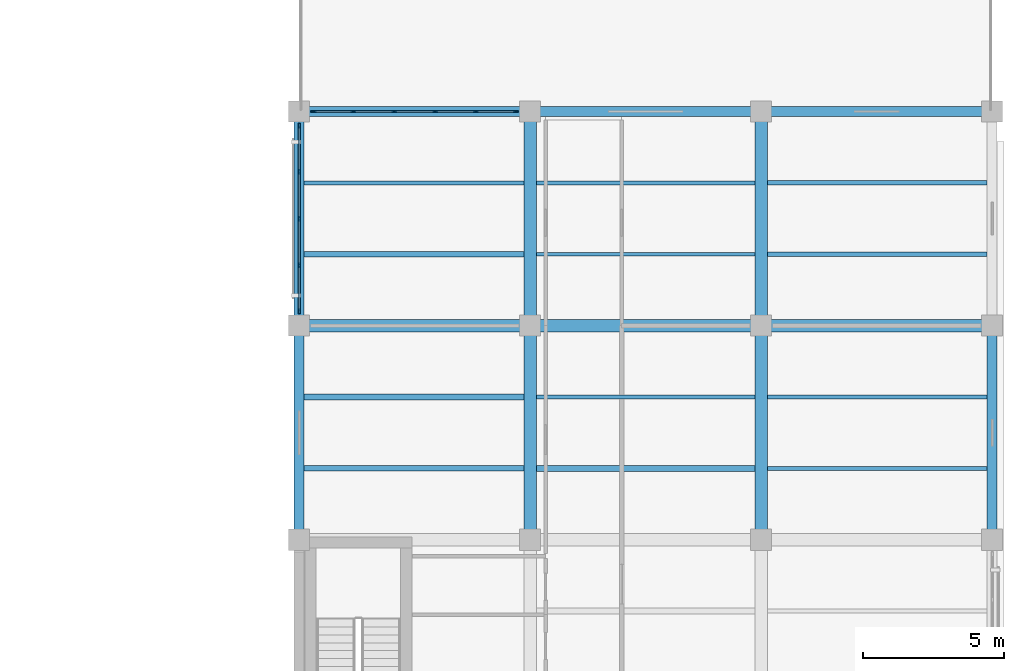
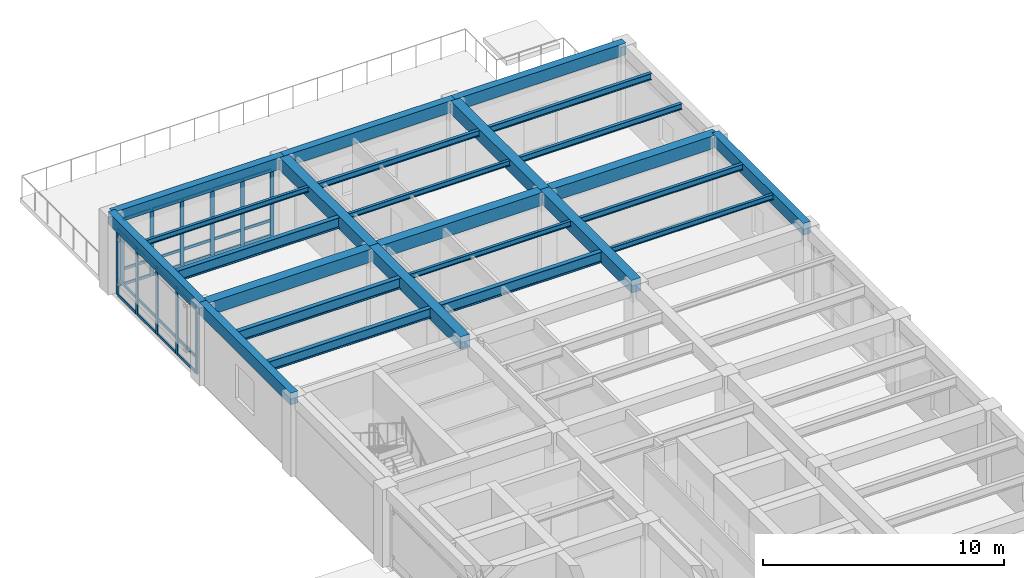
# One storey, part 4 of 12: 38 members, 25 beams, 2 elements without a shape of their own.
"""IFC4 building model written with IfcOpenShell, lengths in metres."""

from ifc_helpers import new_model, si_unit, direction, frame, origin, origin_2d, place, context, subcontext, project, spatial, rectangle, i_section, extrude, material, material_profile, profile_set, type_object, element, aggregate, save


model = new_model("IFC4")

# Units and contexts
model_context = context("Model", 3, precision=1e-05, world=origin(), true_north=direction((0.0, 1.0)))
body_context = subcontext(model_context, "Body", "Model", "MODEL_VIEW")
ifc_project = project(units=[si_unit("LENGTHUNIT", "METRE"), si_unit("AREAUNIT", "SQUARE_METRE"), si_unit("VOLUMEUNIT", "CUBIC_METRE"), si_unit("PLANEANGLEUNIT", "RADIAN"), si_unit("MASSUNIT", "GRAM", prefix="KILO")], contexts=[model_context])

# Site, building, storey
site_placement = place(None, origin())
site = spatial("IfcSite", under=ifc_project, at=site_placement, CompositionType="ELEMENT")
building_placement = place(site_placement, origin())
building = spatial("IfcBuilding", under=site, at=building_placement, Name="Qandaris Square Conservatory and Botanical Centre", CompositionType="ELEMENT")
storey_placement = place(building_placement, frame((0.0, 0.0, 53.39990234375)))
storey = spatial("IfcBuildingStorey", under=building, at=storey_placement, Name="L12", CompositionType="ELEMENT", Elevation=53.39990234375)

# Beams
ifc_material_1 = material(Name="Steel S355", Category="steel")
ifc_material_profile_1 = material_profile(ifc_material_1, i_section(OverallWidth=0.199951171875, OverallDepth=0.5, WebThickness=0.01025390625, FlangeThickness=0.01611328125, FilletRadius=0.02099609375, at=origin_2d()), Name="IPE 500")
ifc_profile_set_1 = profile_set([ifc_material_profile_1], Name="Steel S355")
beam_type_1 = type_object("IfcBeamType", Name="Composite Gallery Joist IPE 500", PredefinedType="JOIST", material=ifc_profile_set_1)
beam_1_placement = place(storey_placement, frame((139.375, 49.533203125, 3.7001953125), z_axis=(1.0, 0.0, 0.0), x_axis=(0.0, 1.0, 0.0)))
element("IfcBeam", 1, at=beam_1_placement, inside=storey, type_object=beam_type_1, Name="L12 Composite Joist 2709", PredefinedType="JOIST", context=body_context, shape_type="SweptSolid", body=[
    extrude(i_section(OverallWidth=0.199951171875, OverallDepth=0.5, WebThickness=0.01025390625, FlangeThickness=0.01611328125, FilletRadius=0.02099609375, at=origin_2d()), origin(), (0.0, 0.0, 1.0), 7.800048828125),
])
ifc_material_profile_2 = material_profile(ifc_material_1, i_section(OverallWidth=0.14990234375, OverallDepth=0.300048828125, WebThickness=0.007080078125, FlangeThickness=0.0107421875, FilletRadius=0.014892578125, at=origin_2d()), Name="IPE 300")
ifc_profile_set_2 = profile_set([ifc_material_profile_2], Name="Steel S355")
beam_type_2 = type_object("IfcBeamType", Name="Composite Lab Joist IPE 300", PredefinedType="JOIST", material=ifc_profile_set_2)
beam_2_placement = place(storey_placement, frame((147.625, 59.666748046875, 3.800048828125), z_axis=(1.0, 0.0, 0.0), x_axis=(0.0, 1.0, 0.0)))
element("IfcBeam", 2, at=beam_2_placement, inside=storey, type_object=beam_type_2, Name="L12 Composite Joist 2721", PredefinedType="JOIST", context=body_context, shape_type="SweptSolid", body=[
    extrude(i_section(OverallWidth=0.14990234375, OverallDepth=0.300048828125, WebThickness=0.007080078125, FlangeThickness=0.0107421875, FilletRadius=0.014892578125, at=origin_2d()), origin(), (0.0, 0.0, 1.0), 7.75),
])
for number, where, z_axis, x_axis, name in (
    (3, (155.824951171875, 52.066650390625, 3.800048828125), (1.0, 0.0, 0.0), (0.0, 1.0, 0.0), "L12 Composite Joist 2731"),
    (4, (155.824951171875, 57.13330078125, 3.800048828125), (1.0, 0.0, 0.0), (0.0, 1.0, 0.0), "L12 Composite Joist 2732"),
):
    element("IfcBeam", number, at=place(storey_placement, frame(where, z_axis=z_axis, x_axis=x_axis)), inside=storey, type_object=beam_type_2, Name=name, PredefinedType="JOIST", context=body_context, shape_type="SweptSolid", body=[
        extrude(i_section(OverallWidth=0.14990234375, OverallDepth=0.300048828125, WebThickness=0.007080078125, FlangeThickness=0.0107421875, FilletRadius=0.014892578125, at=origin_2d()), origin(), (0.0, 0.0, 1.0), 7.800048828125),
    ])
ifc_material_profile_3 = material_profile(ifc_material_1, i_section(OverallWidth=0.159912109375, OverallDepth=0.330078125, WebThickness=0.007568359375, FlangeThickness=0.011474609375, FilletRadius=0.01806640625, at=origin_2d()), Name="IPE 330")
ifc_profile_set_3 = profile_set([ifc_material_profile_3], Name="Steel S355")
beam_type_3 = type_object("IfcBeamType", Name="Composite Lab Joist IPE 330", PredefinedType="JOIST", material=ifc_profile_set_3)
beam_3_placement = place(storey_placement, frame((155.824951171875, 59.666748046875, 3.78515625), z_axis=(1.0, 0.0, 0.0), x_axis=(0.0, 1.0, 0.0)))
element("IfcBeam", 5, at=beam_3_placement, inside=storey, type_object=beam_type_3, Name="L12 Composite Joist 2733", PredefinedType="JOIST", context=body_context, shape_type="SweptSolid", body=[
    extrude(i_section(OverallWidth=0.159912109375, OverallDepth=0.330078125, WebThickness=0.007568359375, FlangeThickness=0.011474609375, FilletRadius=0.01806640625, at=origin_2d()), origin(), (0.0, 0.0, 1.0), 7.800048828125),
])

# Curtain wall, members
ifc_material_2 = material(Name="Anodised Aluminium", Category="aluminium")
curtain_wall_type_1 = type_object("IfcCurtainWallType", Name="Unitised Curtain Wall CW-3-725x336", PredefinedType="USERDEFINED", material=ifc_material_2)
curtain_wall_1_placement = place(storey_placement, origin())
curtain_wall_1 = element("IfcCurtainWall", 6, at=curtain_wall_1_placement, inside=storey, type_object=curtain_wall_type_1, Name="Curtain Wall CW-TWR-L12-3-3", ObjectType="GLAZED CURTAIN WALL", PredefinedType="USERDEFINED")
ifc_material_profile_4 = material_profile(ifc_material_2, rectangle(XDim=0.06494140625, YDim=0.179931640625, at=origin_2d()), Name="ALU-MUL 65x180")
ifc_profile_set_4 = profile_set([ifc_material_profile_4], Name="Anodised Aluminium")
member_type_1 = type_object("IfcMemberType", Name="Curtain Wall Mullion 65x180", PredefinedType="MULLION", material=ifc_profile_set_4)
member_1_placement = place(storey_placement, frame((146.892578125, 62.199951171875, 0.0), z_axis=(0.0, 0.0, 1.0), x_axis=(0.0, -1.0, 0.0)))
member_1 = element("IfcMember", 7, at=member_1_placement, type_object=member_type_1, Name="CW-3-725x336 mullion 1", PredefinedType="MULLION", context=body_context, shape_type="SweptSolid", body=[
    extrude(rectangle(XDim=0.06494140625, YDim=0.179931640625, at=origin_2d()), origin(), (0.0, 0.0, 1.0), 3.360107421875),
])
member_2_placement = place(storey_placement, frame((145.47509765625, 62.199951171875, 0.0), z_axis=(0.0, 0.0, 1.0), x_axis=(0.0, -1.0, 0.0)))
member_2 = element("IfcMember", 8, at=member_2_placement, type_object=member_type_1, Name="CW-3-725x336 mullion 2", PredefinedType="MULLION", context=body_context, shape_type="SweptSolid", body=[
    extrude(rectangle(XDim=0.06494140625, YDim=0.179931640625, at=origin_2d()), origin(), (0.0, 0.0, 1.0), 3.360107421875),
])
member_3_placement = place(storey_placement, frame((144.02490234375, 62.199951171875, 0.0), z_axis=(0.0, 0.0, 1.0), x_axis=(0.0, -1.0, 0.0)))
member_3 = element("IfcMember", 9, at=member_3_placement, type_object=member_type_1, Name="CW-3-725x336 mullion 3", PredefinedType="MULLION", context=body_context, shape_type="SweptSolid", body=[
    extrude(rectangle(XDim=0.06494140625, YDim=0.179931640625, at=origin_2d()), origin(), (0.0, 0.0, 1.0), 3.360107421875),
])
member_4_placement = place(storey_placement, frame((142.574951171875, 62.199951171875, 0.0), z_axis=(0.0, 0.0, 1.0), x_axis=(0.0, -1.0, 0.0)))
member_4 = element("IfcMember", 10, at=member_4_placement, type_object=member_type_1, Name="CW-3-725x336 mullion 4", PredefinedType="MULLION", context=body_context, shape_type="SweptSolid", body=[
    extrude(rectangle(XDim=0.06494140625, YDim=0.179931640625, at=origin_2d()), origin(), (0.0, 0.0, 1.0), 3.360107421875),
])
member_5_placement = place(storey_placement, frame((141.125, 62.199951171875, 0.0), z_axis=(0.0, 0.0, 1.0), x_axis=(0.0, -1.0, 0.0)))
member_5 = element("IfcMember", 11, at=member_5_placement, type_object=member_type_1, Name="CW-3-725x336 mullion 5", PredefinedType="MULLION", context=body_context, shape_type="SweptSolid", body=[
    extrude(rectangle(XDim=0.06494140625, YDim=0.179931640625, at=origin_2d()), origin(), (0.0, 0.0, 1.0), 3.360107421875),
])
member_6_placement = place(storey_placement, frame((139.70751953125, 62.199951171875, 0.0), z_axis=(0.0, 0.0, 1.0), x_axis=(0.0, -1.0, 0.0)))
member_6 = element("IfcMember", 12, at=member_6_placement, type_object=member_type_1, Name="CW-3-725x336 mullion 6", PredefinedType="MULLION", context=body_context, shape_type="SweptSolid", body=[
    extrude(rectangle(XDim=0.06494140625, YDim=0.179931640625, at=origin_2d()), origin(), (0.0, 0.0, 1.0), 3.360107421875),
])

curtain_wall_type_2 = type_object("IfcCurtainWallType", Name="Unitised Curtain Wall CW-4-665x336", PredefinedType="USERDEFINED", material=ifc_material_2)
curtain_wall_2_placement = place(storey_placement, origin())
curtain_wall_2 = element("IfcCurtainWall", 13, at=curtain_wall_2_placement, inside=storey, type_object=curtain_wall_type_2, Name="Curtain Wall CW-TWR-L12-4-1", ObjectType="GLAZED CURTAIN WALL", PredefinedType="USERDEFINED")
member_7_placement = place(storey_placement, frame((139.199951171875, 61.6923828125, 0.0), z_axis=(0.0, 0.0, 1.0), x_axis=(1.0, 0.0, 0.0)))
member_7 = element("IfcMember", 14, at=member_7_placement, type_object=member_type_1, Name="CW-4-665x336 mullion 1", PredefinedType="MULLION", context=body_context, shape_type="SweptSolid", body=[
    extrude(rectangle(XDim=0.06494140625, YDim=0.179931640625, at=origin_2d()), origin(), (0.0, 0.0, 1.0), 3.360107421875),
])
member_8_placement = place(storey_placement, frame((139.199951171875, 60.0625, 0.0), z_axis=(0.0, 0.0, 1.0), x_axis=(1.0, 0.0, 0.0)))
member_8 = element("IfcMember", 15, at=member_8_placement, type_object=member_type_1, Name="CW-4-665x336 mullion 2", PredefinedType="MULLION", context=body_context, shape_type="SweptSolid", body=[
    extrude(rectangle(XDim=0.06494140625, YDim=0.179931640625, at=origin_2d()), origin(), (0.0, 0.0, 1.0), 3.360107421875),
])
member_9_placement = place(storey_placement, frame((139.199951171875, 58.39990234375, 0.0), z_axis=(0.0, 0.0, 1.0), x_axis=(1.0, 0.0, 0.0)))
member_9 = element("IfcMember", 16, at=member_9_placement, type_object=member_type_1, Name="CW-4-665x336 mullion 3", PredefinedType="MULLION", context=body_context, shape_type="SweptSolid", body=[
    extrude(rectangle(XDim=0.06494140625, YDim=0.179931640625, at=origin_2d()), origin(), (0.0, 0.0, 1.0), 3.360107421875),
])
member_10_placement = place(storey_placement, frame((139.199951171875, 56.737548828125, 0.0), z_axis=(0.0, 0.0, 1.0), x_axis=(1.0, 0.0, 0.0)))
member_10 = element("IfcMember", 17, at=member_10_placement, type_object=member_type_1, Name="CW-4-665x336 mullion 4", PredefinedType="MULLION", context=body_context, shape_type="SweptSolid", body=[
    extrude(rectangle(XDim=0.06494140625, YDim=0.179931640625, at=origin_2d()), origin(), (0.0, 0.0, 1.0), 3.360107421875),
])
member_11_placement = place(storey_placement, frame((139.199951171875, 55.107421875, 0.0), z_axis=(0.0, 0.0, 1.0), x_axis=(1.0, 0.0, 0.0)))
member_11 = element("IfcMember", 18, at=member_11_placement, type_object=member_type_1, Name="CW-4-665x336 mullion 5", PredefinedType="MULLION", context=body_context, shape_type="SweptSolid", body=[
    extrude(rectangle(XDim=0.06494140625, YDim=0.179931640625, at=origin_2d()), origin(), (0.0, 0.0, 1.0), 3.360107421875),
])

# Member
ifc_material_profile_5 = material_profile(ifc_material_2, rectangle(XDim=0.06494140625, YDim=0.139892578125, at=origin_2d()), Name="ALU-TRN 65x140")
ifc_profile_set_5 = profile_set([ifc_material_profile_5], Name="Anodised Aluminium")
member_type_2 = type_object("IfcMemberType", Name="Curtain Wall Transom 65x140", PredefinedType="USERDEFINED", material=ifc_profile_set_5)
member_12_placement = place(storey_placement, frame((146.860107421875, 62.199951171875, 0.03271484375), z_axis=(-1.0, 0.0, 0.0), x_axis=(0.0, -1.0, 0.0)))
member_12 = element("IfcMember", 19, at=member_12_placement, type_object=member_type_2, Name="CW-3-725x336 transom 1.1", ObjectType="TRANSOM", PredefinedType="USERDEFINED", context=body_context, shape_type="SweptSolid", body=[
    extrude(rectangle(XDim=0.06494140625, YDim=0.139892578125, at=origin_2d()), origin(), (0.0, 0.0, 1.0), 1.3525390625),
])

member_13_placement = place(storey_placement, frame((146.860107421875, 62.199951171875, 0.806396484375), z_axis=(-1.0, 0.0, 0.0), x_axis=(0.0, -1.0, 0.0)))
member_13 = element("IfcMember", 20, at=member_13_placement, type_object=member_type_2, Name="CW-3-725x336 transom 1.2", ObjectType="TRANSOM", PredefinedType="USERDEFINED", context=body_context, shape_type="SweptSolid", body=[
    extrude(rectangle(XDim=0.06494140625, YDim=0.139892578125, at=origin_2d()), origin(), (0.0, 0.0, 1.0), 1.3525390625),
])

member_14_placement = place(storey_placement, frame((146.860107421875, 62.199951171875, 3.32763671875), z_axis=(-1.0, 0.0, 0.0), x_axis=(0.0, -1.0, 0.0)))
member_14 = element("IfcMember", 21, at=member_14_placement, type_object=member_type_2, Name="CW-3-725x336 transom 1.3", ObjectType="TRANSOM", PredefinedType="USERDEFINED", context=body_context, shape_type="SweptSolid", body=[
    extrude(rectangle(XDim=0.06494140625, YDim=0.139892578125, at=origin_2d()), origin(), (0.0, 0.0, 1.0), 1.3525390625),
])

member_15_placement = place(storey_placement, frame((145.4423828125, 62.199951171875, 0.03271484375), z_axis=(-1.0, 0.0, 0.0), x_axis=(0.0, -1.0, 0.0)))
member_15 = element("IfcMember", 22, at=member_15_placement, type_object=member_type_2, Name="CW-3-725x336 transom 2.1", ObjectType="TRANSOM", PredefinedType="USERDEFINED", context=body_context, shape_type="SweptSolid", body=[
    extrude(rectangle(XDim=0.06494140625, YDim=0.139892578125, at=origin_2d()), origin(), (0.0, 0.0, 1.0), 1.384765625),
])

member_16_placement = place(storey_placement, frame((145.4423828125, 62.199951171875, 0.806396484375), z_axis=(-1.0, 0.0, 0.0), x_axis=(0.0, -1.0, 0.0)))
member_16 = element("IfcMember", 23, at=member_16_placement, type_object=member_type_2, Name="CW-3-725x336 transom 2.2", ObjectType="TRANSOM", PredefinedType="USERDEFINED", context=body_context, shape_type="SweptSolid", body=[
    extrude(rectangle(XDim=0.06494140625, YDim=0.139892578125, at=origin_2d()), origin(), (0.0, 0.0, 1.0), 1.384765625),
])

member_17_placement = place(storey_placement, frame((145.4423828125, 62.199951171875, 3.32763671875), z_axis=(-1.0, 0.0, 0.0), x_axis=(0.0, -1.0, 0.0)))
member_17 = element("IfcMember", 24, at=member_17_placement, type_object=member_type_2, Name="CW-3-725x336 transom 2.3", ObjectType="TRANSOM", PredefinedType="USERDEFINED", context=body_context, shape_type="SweptSolid", body=[
    extrude(rectangle(XDim=0.06494140625, YDim=0.139892578125, at=origin_2d()), origin(), (0.0, 0.0, 1.0), 1.384765625),
])

member_18_placement = place(storey_placement, frame((143.992431640625, 62.199951171875, 0.03271484375), z_axis=(-1.0, 0.0, 0.0), x_axis=(0.0, -1.0, 0.0)))
member_18 = element("IfcMember", 25, at=member_18_placement, type_object=member_type_2, Name="CW-3-725x336 transom 3.1", ObjectType="TRANSOM", PredefinedType="USERDEFINED", context=body_context, shape_type="SweptSolid", body=[
    extrude(rectangle(XDim=0.06494140625, YDim=0.139892578125, at=origin_2d()), origin(), (0.0, 0.0, 1.0), 1.385009765625),
])

member_19_placement = place(storey_placement, frame((143.992431640625, 62.199951171875, 0.806396484375), z_axis=(-1.0, 0.0, 0.0), x_axis=(0.0, -1.0, 0.0)))
member_19 = element("IfcMember", 26, at=member_19_placement, type_object=member_type_2, Name="CW-3-725x336 transom 3.2", ObjectType="TRANSOM", PredefinedType="USERDEFINED", context=body_context, shape_type="SweptSolid", body=[
    extrude(rectangle(XDim=0.06494140625, YDim=0.139892578125, at=origin_2d()), origin(), (0.0, 0.0, 1.0), 1.385009765625),
])

member_20_placement = place(storey_placement, frame((143.992431640625, 62.199951171875, 3.32763671875), z_axis=(-1.0, 0.0, 0.0), x_axis=(0.0, -1.0, 0.0)))
member_20 = element("IfcMember", 27, at=member_20_placement, type_object=member_type_2, Name="CW-3-725x336 transom 3.3", ObjectType="TRANSOM", PredefinedType="USERDEFINED", context=body_context, shape_type="SweptSolid", body=[
    extrude(rectangle(XDim=0.06494140625, YDim=0.139892578125, at=origin_2d()), origin(), (0.0, 0.0, 1.0), 1.385009765625),
])

member_21_placement = place(storey_placement, frame((142.54248046875, 62.199951171875, 0.03271484375), z_axis=(-1.0, 0.0, 0.0), x_axis=(0.0, -1.0, 0.0)))
member_21 = element("IfcMember", 28, at=member_21_placement, type_object=member_type_2, Name="CW-3-725x336 transom 4.1", ObjectType="TRANSOM", PredefinedType="USERDEFINED", context=body_context, shape_type="SweptSolid", body=[
    extrude(rectangle(XDim=0.06494140625, YDim=0.139892578125, at=origin_2d()), origin(), (0.0, 0.0, 1.0), 1.385009765625),
])

member_22_placement = place(storey_placement, frame((142.54248046875, 62.199951171875, 0.806396484375), z_axis=(-1.0, 0.0, 0.0), x_axis=(0.0, -1.0, 0.0)))
member_22 = element("IfcMember", 29, at=member_22_placement, type_object=member_type_2, Name="CW-3-725x336 transom 4.2", ObjectType="TRANSOM", PredefinedType="USERDEFINED", context=body_context, shape_type="SweptSolid", body=[
    extrude(rectangle(XDim=0.06494140625, YDim=0.139892578125, at=origin_2d()), origin(), (0.0, 0.0, 1.0), 1.385009765625),
])

member_23_placement = place(storey_placement, frame((142.54248046875, 62.199951171875, 3.32763671875), z_axis=(-1.0, 0.0, 0.0), x_axis=(0.0, -1.0, 0.0)))
member_23 = element("IfcMember", 30, at=member_23_placement, type_object=member_type_2, Name="CW-3-725x336 transom 4.3", ObjectType="TRANSOM", PredefinedType="USERDEFINED", context=body_context, shape_type="SweptSolid", body=[
    extrude(rectangle(XDim=0.06494140625, YDim=0.139892578125, at=origin_2d()), origin(), (0.0, 0.0, 1.0), 1.385009765625),
])

member_24_placement = place(storey_placement, frame((141.092529296875, 62.199951171875, 0.03271484375), z_axis=(-1.0, 0.0, 0.0), x_axis=(0.0, -1.0, 0.0)))
member_24 = element("IfcMember", 31, at=member_24_placement, type_object=member_type_2, Name="CW-3-725x336 transom 5.1", ObjectType="TRANSOM", PredefinedType="USERDEFINED", context=body_context, shape_type="SweptSolid", body=[
    extrude(rectangle(XDim=0.06494140625, YDim=0.139892578125, at=origin_2d()), origin(), (0.0, 0.0, 1.0), 1.3525390625),
])

member_25_placement = place(storey_placement, frame((141.092529296875, 62.199951171875, 0.806396484375), z_axis=(-1.0, 0.0, 0.0), x_axis=(0.0, -1.0, 0.0)))
member_25 = element("IfcMember", 32, at=member_25_placement, type_object=member_type_2, Name="CW-3-725x336 transom 5.2", ObjectType="TRANSOM", PredefinedType="USERDEFINED", context=body_context, shape_type="SweptSolid", body=[
    extrude(rectangle(XDim=0.06494140625, YDim=0.139892578125, at=origin_2d()), origin(), (0.0, 0.0, 1.0), 1.3525390625),
])

member_26_placement = place(storey_placement, frame((141.092529296875, 62.199951171875, 3.32763671875), z_axis=(-1.0, 0.0, 0.0), x_axis=(0.0, -1.0, 0.0)))
member_26 = element("IfcMember", 33, at=member_26_placement, type_object=member_type_2, Name="CW-3-725x336 transom 5.3", ObjectType="TRANSOM", PredefinedType="USERDEFINED", context=body_context, shape_type="SweptSolid", body=[
    extrude(rectangle(XDim=0.06494140625, YDim=0.139892578125, at=origin_2d()), origin(), (0.0, 0.0, 1.0), 1.3525390625),
])

aggregate(curtain_wall_1, [member_1, member_2, member_3, member_4, member_5, member_6, member_12, member_13, member_14, member_15, member_16, member_17, member_18, member_19, member_20, member_21, member_22, member_23, member_24, member_25, member_26])

member_27_placement = place(storey_placement, frame((139.199951171875, 61.659912109375, 0.03271484375), z_axis=(0.0, -1.0, 0.0), x_axis=(1.0, 0.0, 0.0)))
member_27 = element("IfcMember", 34, at=member_27_placement, type_object=member_type_2, Name="CW-4-665x336 transom 1.1", ObjectType="TRANSOM", PredefinedType="USERDEFINED", context=body_context, shape_type="SweptSolid", body=[
    extrude(rectangle(XDim=0.06494140625, YDim=0.139892578125, at=origin_2d()), origin(), (0.0, 0.0, 1.0), 1.56494140625),
])

member_28_placement = place(storey_placement, frame((139.199951171875, 61.659912109375, 0.806396484375), z_axis=(0.0, -1.0, 0.0), x_axis=(1.0, 0.0, 0.0)))
member_28 = element("IfcMember", 35, at=member_28_placement, type_object=member_type_2, Name="CW-4-665x336 transom 1.2", ObjectType="TRANSOM", PredefinedType="USERDEFINED", context=body_context, shape_type="SweptSolid", body=[
    extrude(rectangle(XDim=0.06494140625, YDim=0.139892578125, at=origin_2d()), origin(), (0.0, 0.0, 1.0), 1.56494140625),
])

member_29_placement = place(storey_placement, frame((139.199951171875, 61.659912109375, 3.32763671875), z_axis=(0.0, -1.0, 0.0), x_axis=(1.0, 0.0, 0.0)))
member_29 = element("IfcMember", 36, at=member_29_placement, type_object=member_type_2, Name="CW-4-665x336 transom 1.3", ObjectType="TRANSOM", PredefinedType="USERDEFINED", context=body_context, shape_type="SweptSolid", body=[
    extrude(rectangle(XDim=0.06494140625, YDim=0.139892578125, at=origin_2d()), origin(), (0.0, 0.0, 1.0), 1.56494140625),
])

member_30_placement = place(storey_placement, frame((139.199951171875, 60.030029296875, 0.03271484375), z_axis=(0.0, -1.0, 0.0), x_axis=(1.0, 0.0, 0.0)))
member_30 = element("IfcMember", 37, at=member_30_placement, type_object=member_type_2, Name="CW-4-665x336 transom 2.1", ObjectType="TRANSOM", PredefinedType="USERDEFINED", context=body_context, shape_type="SweptSolid", body=[
    extrude(rectangle(XDim=0.06494140625, YDim=0.139892578125, at=origin_2d()), origin(), (0.0, 0.0, 1.0), 1.597412109375),
])

member_31_placement = place(storey_placement, frame((139.199951171875, 60.030029296875, 0.806396484375), z_axis=(0.0, -1.0, 0.0), x_axis=(1.0, 0.0, 0.0)))
member_31 = element("IfcMember", 38, at=member_31_placement, type_object=member_type_2, Name="CW-4-665x336 transom 2.2", ObjectType="TRANSOM", PredefinedType="USERDEFINED", context=body_context, shape_type="SweptSolid", body=[
    extrude(rectangle(XDim=0.06494140625, YDim=0.139892578125, at=origin_2d()), origin(), (0.0, 0.0, 1.0), 1.597412109375),
])

member_32_placement = place(storey_placement, frame((139.199951171875, 60.030029296875, 3.32763671875), z_axis=(0.0, -1.0, 0.0), x_axis=(1.0, 0.0, 0.0)))
member_32 = element("IfcMember", 39, at=member_32_placement, type_object=member_type_2, Name="CW-4-665x336 transom 2.3", ObjectType="TRANSOM", PredefinedType="USERDEFINED", context=body_context, shape_type="SweptSolid", body=[
    extrude(rectangle(XDim=0.06494140625, YDim=0.139892578125, at=origin_2d()), origin(), (0.0, 0.0, 1.0), 1.597412109375),
])

member_33_placement = place(storey_placement, frame((139.199951171875, 58.367431640625, 0.03271484375), z_axis=(0.0, -1.0, 0.0), x_axis=(1.0, 0.0, 0.0)))
member_33 = element("IfcMember", 40, at=member_33_placement, type_object=member_type_2, Name="CW-4-665x336 transom 3.1", ObjectType="TRANSOM", PredefinedType="USERDEFINED", context=body_context, shape_type="SweptSolid", body=[
    extrude(rectangle(XDim=0.06494140625, YDim=0.139892578125, at=origin_2d()), origin(), (0.0, 0.0, 1.0), 1.597412109375),
])

member_34_placement = place(storey_placement, frame((139.199951171875, 58.367431640625, 0.806396484375), z_axis=(0.0, -1.0, 0.0), x_axis=(1.0, 0.0, 0.0)))
member_34 = element("IfcMember", 41, at=member_34_placement, type_object=member_type_2, Name="CW-4-665x336 transom 3.2", ObjectType="TRANSOM", PredefinedType="USERDEFINED", context=body_context, shape_type="SweptSolid", body=[
    extrude(rectangle(XDim=0.06494140625, YDim=0.139892578125, at=origin_2d()), origin(), (0.0, 0.0, 1.0), 1.597412109375),
])

member_35_placement = place(storey_placement, frame((139.199951171875, 58.367431640625, 3.32763671875), z_axis=(0.0, -1.0, 0.0), x_axis=(1.0, 0.0, 0.0)))
member_35 = element("IfcMember", 42, at=member_35_placement, type_object=member_type_2, Name="CW-4-665x336 transom 3.3", ObjectType="TRANSOM", PredefinedType="USERDEFINED", context=body_context, shape_type="SweptSolid", body=[
    extrude(rectangle(XDim=0.06494140625, YDim=0.139892578125, at=origin_2d()), origin(), (0.0, 0.0, 1.0), 1.597412109375),
])

member_36_placement = place(storey_placement, frame((139.199951171875, 56.705078125, 0.03271484375), z_axis=(0.0, -1.0, 0.0), x_axis=(1.0, 0.0, 0.0)))
member_36 = element("IfcMember", 43, at=member_36_placement, type_object=member_type_2, Name="CW-4-665x336 transom 4.1", ObjectType="TRANSOM", PredefinedType="USERDEFINED", context=body_context, shape_type="SweptSolid", body=[
    extrude(rectangle(XDim=0.06494140625, YDim=0.139892578125, at=origin_2d()), origin(), (0.0, 0.0, 1.0), 1.565185546875),
])

member_37_placement = place(storey_placement, frame((139.199951171875, 56.705078125, 0.806396484375), z_axis=(0.0, -1.0, 0.0), x_axis=(1.0, 0.0, 0.0)))
member_37 = element("IfcMember", 44, at=member_37_placement, type_object=member_type_2, Name="CW-4-665x336 transom 4.2", ObjectType="TRANSOM", PredefinedType="USERDEFINED", context=body_context, shape_type="SweptSolid", body=[
    extrude(rectangle(XDim=0.06494140625, YDim=0.139892578125, at=origin_2d()), origin(), (0.0, 0.0, 1.0), 1.565185546875),
])

member_38_placement = place(storey_placement, frame((139.199951171875, 56.705078125, 3.32763671875), z_axis=(0.0, -1.0, 0.0), x_axis=(1.0, 0.0, 0.0)))
member_38 = element("IfcMember", 45, at=member_38_placement, type_object=member_type_2, Name="CW-4-665x336 transom 4.3", ObjectType="TRANSOM", PredefinedType="USERDEFINED", context=body_context, shape_type="SweptSolid", body=[
    extrude(rectangle(XDim=0.06494140625, YDim=0.139892578125, at=origin_2d()), origin(), (0.0, 0.0, 1.0), 1.565185546875),
])

aggregate(curtain_wall_2, [member_7, member_8, member_9, member_10, member_11, member_27, member_28, member_29, member_30, member_31, member_32, member_33, member_34, member_35, member_36, member_37, member_38])

# Beams
ifc_material_profile_6 = material_profile(ifc_material_1, i_section(OverallWidth=0.2099609375, OverallDepth=0.550048828125, WebThickness=0.010986328125, FlangeThickness=0.01708984375, FilletRadius=0.02392578125, at=origin_2d()), Name="IPE 550")
ifc_profile_set_6 = profile_set([ifc_material_profile_6], Name="Steel S355")
beam_type_4 = type_object("IfcBeamType", Name="Long-Span Foyer Joist IPE 550", PredefinedType="JOIST", material=ifc_profile_set_6)
for number, where, z_axis, x_axis, name in (
    (46, (139.375, 52.066650390625, 3.675048828125), (1.0, 0.0, 0.0), (0.0, 1.0, 0.0), "L12 Composite Joist 2710"),
    (47, (139.375, 57.13330078125, 3.675048828125), (1.0, 0.0, 0.0), (0.0, 1.0, 0.0), "L12 Composite Joist 2711"),
):
    element("IfcBeam", number, at=place(storey_placement, frame(where, z_axis=z_axis, x_axis=x_axis)), inside=storey, type_object=beam_type_4, Name=name, PredefinedType="JOIST", context=body_context, shape_type="SweptSolid", body=[
        extrude(i_section(OverallWidth=0.2099609375, OverallDepth=0.550048828125, WebThickness=0.010986328125, FlangeThickness=0.01708984375, FilletRadius=0.02392578125, at=origin_2d()), origin(), (0.0, 0.0, 1.0), 7.800048828125),
    ])
beam_4_placement = place(storey_placement, frame((147.625, 49.533203125, 3.675048828125), z_axis=(1.0, 0.0, 0.0), x_axis=(0.0, 1.0, 0.0)))
element("IfcBeam", 48, at=beam_4_placement, inside=storey, type_object=beam_type_4, Name="L12 Composite Joist 2718", PredefinedType="JOIST", context=body_context, shape_type="SweptSolid", body=[
    extrude(i_section(OverallWidth=0.2099609375, OverallDepth=0.550048828125, WebThickness=0.010986328125, FlangeThickness=0.01708984375, FilletRadius=0.02392578125, at=origin_2d()), origin(), (0.0, 0.0, 1.0), 7.75),
])
ifc_material_3 = material(Name="Concrete C50/60", Category="concrete")
ifc_material_profile_7 = material_profile(ifc_material_3, rectangle(XDim=0.35009765625, YDim=0.60009765625, at=origin_2d()), Name="RC-SP 350x600")
ifc_profile_set_7 = profile_set([ifc_material_profile_7], Name="Concrete C50/60")
beam_type_5 = type_object("IfcBeamType", Name="RC Edge Spandrel Beam 350x600", PredefinedType="SPANDREL", material=ifc_profile_set_7)
beam_5_placement = place(storey_placement, frame((139.199951171875, 62.199951171875, 3.66015625), z_axis=(1.0, 0.0, 0.0), x_axis=(0.0, 1.0, 0.0)))
element("IfcBeam", 49, at=beam_5_placement, inside=storey, type_object=beam_type_5, Name="L12 Frame Beam 2667", PredefinedType="SPANDREL", context=body_context, shape_type="SweptSolid", body=[
    extrude(rectangle(XDim=0.35009765625, YDim=0.60009765625, at=origin_2d()), origin(), (0.0, 0.0, 1.0), 8.199951171875),
])
beam_6_placement = place(storey_placement, frame((147.39990234375, 62.199951171875, 3.66015625), z_axis=(1.0, 0.0, 0.0), x_axis=(0.0, 1.0, 0.0)))
element("IfcBeam", 50, at=beam_6_placement, inside=storey, type_object=beam_type_5, Name="L12 Frame Beam 2668", PredefinedType="SPANDREL", context=body_context, shape_type="SweptSolid", body=[
    extrude(rectangle(XDim=0.35009765625, YDim=0.60009765625, at=origin_2d()), origin(), (0.0, 0.0, 1.0), 8.2001953125),
])
beam_7_placement = place(storey_placement, frame((155.60009765625, 62.199951171875, 3.66015625), z_axis=(1.0, 0.0, 0.0), x_axis=(0.0, 1.0, 0.0)))
element("IfcBeam", 51, at=beam_7_placement, inside=storey, type_object=beam_type_5, Name="L12 Frame Beam 2669", PredefinedType="SPANDREL", context=body_context, shape_type="SweptSolid", body=[
    extrude(rectangle(XDim=0.35009765625, YDim=0.60009765625, at=origin_2d()), origin(), (0.0, 0.0, 1.0), 8.199951171875),
])
beam_8_placement = place(storey_placement, frame((139.199951171875, 47.0, 3.66015625), z_axis=(0.0, 1.0, 0.0), x_axis=(-1.0, 0.0, 0.0)))
element("IfcBeam", 52, at=beam_8_placement, inside=storey, type_object=beam_type_5, Name="L12 Frame Beam 2678", PredefinedType="SPANDREL", context=body_context, shape_type="SweptSolid", body=[
    extrude(rectangle(XDim=0.35009765625, YDim=0.60009765625, at=origin_2d()), origin(), (0.0, 0.0, 1.0), 7.60009765625),
])
beam_9_placement = place(storey_placement, frame((139.199951171875, 54.60009765625, 3.66015625), z_axis=(0.0, 1.0, 0.0), x_axis=(-1.0, 0.0, 0.0)))
element("IfcBeam", 53, at=beam_9_placement, inside=storey, type_object=beam_type_5, Name="L12 Frame Beam 2679", PredefinedType="SPANDREL", context=body_context, shape_type="SweptSolid", body=[
    extrude(rectangle(XDim=0.35009765625, YDim=0.60009765625, at=origin_2d()), origin(), (0.0, 0.0, 1.0), 7.599853515625),
])
beam_10_placement = place(storey_placement, frame((163.800048828125, 47.0, 3.66015625), z_axis=(0.0, 1.0, 0.0), x_axis=(-1.0, 0.0, 0.0)))
element("IfcBeam", 54, at=beam_10_placement, inside=storey, type_object=beam_type_5, Name="L12 Frame Beam 2696", PredefinedType="SPANDREL", context=body_context, shape_type="SweptSolid", body=[
    extrude(rectangle(XDim=0.35009765625, YDim=0.60009765625, at=origin_2d()), origin(), (0.0, 0.0, 1.0), 7.60009765625),
])
ifc_material_profile_8 = material_profile(ifc_material_3, rectangle(XDim=0.449951171875, YDim=0.64990234375, at=origin_2d()), Name="RC-BM 450x650")
ifc_profile_set_8 = profile_set([ifc_material_profile_8], Name="Concrete C50/60")
beam_type_6 = type_object("IfcBeamType", Name="RC Floor Girder 450x650", PredefinedType="BEAM", material=ifc_profile_set_8)
beam_11_placement = place(storey_placement, frame((139.199951171875, 54.60009765625, 3.635009765625), z_axis=(1.0, 0.0, 0.0), x_axis=(0.0, 1.0, 0.0)))
element("IfcBeam", 55, at=beam_11_placement, inside=storey, type_object=beam_type_6, Name="L12 Frame Beam 2664", PredefinedType="BEAM", context=body_context, shape_type="SweptSolid", body=[
    extrude(rectangle(XDim=0.449951171875, YDim=0.64990234375, at=origin_2d()), origin(), (0.0, 0.0, 1.0), 8.199951171875),
])
beam_12_placement = place(storey_placement, frame((147.39990234375, 54.60009765625, 3.635009765625), z_axis=(1.0, 0.0, 0.0), x_axis=(0.0, 1.0, 0.0)))
element("IfcBeam", 56, at=beam_12_placement, inside=storey, type_object=beam_type_6, Name="L12 Frame Beam 2665", PredefinedType="BEAM", context=body_context, shape_type="SweptSolid", body=[
    extrude(rectangle(XDim=0.449951171875, YDim=0.64990234375, at=origin_2d()), origin(), (0.0, 0.0, 1.0), 8.2001953125),
])
beam_13_placement = place(storey_placement, frame((155.60009765625, 54.60009765625, 3.635009765625), z_axis=(1.0, 0.0, 0.0), x_axis=(0.0, 1.0, 0.0)))
element("IfcBeam", 57, at=beam_13_placement, inside=storey, type_object=beam_type_6, Name="L12 Frame Beam 2666", PredefinedType="BEAM", context=body_context, shape_type="SweptSolid", body=[
    extrude(rectangle(XDim=0.449951171875, YDim=0.64990234375, at=origin_2d()), origin(), (0.0, 0.0, 1.0), 8.199951171875),
])
beam_14_placement = place(storey_placement, frame((147.39990234375, 47.0, 3.635009765625), z_axis=(0.0, 1.0, 0.0), x_axis=(-1.0, 0.0, 0.0)))
element("IfcBeam", 58, at=beam_14_placement, inside=storey, type_object=beam_type_6, Name="L12 Frame Beam 2684", PredefinedType="BEAM", context=body_context, shape_type="SweptSolid", body=[
    extrude(rectangle(XDim=0.449951171875, YDim=0.64990234375, at=origin_2d()), origin(), (0.0, 0.0, 1.0), 7.60009765625),
])
beam_15_placement = place(storey_placement, frame((147.39990234375, 54.60009765625, 3.635009765625), z_axis=(0.0, 1.0, 0.0), x_axis=(-1.0, 0.0, 0.0)))
element("IfcBeam", 59, at=beam_15_placement, inside=storey, type_object=beam_type_6, Name="L12 Frame Beam 2685", PredefinedType="BEAM", context=body_context, shape_type="SweptSolid", body=[
    extrude(rectangle(XDim=0.449951171875, YDim=0.64990234375, at=origin_2d()), origin(), (0.0, 0.0, 1.0), 7.599853515625),
])
beam_16_placement = place(storey_placement, frame((155.60009765625, 47.0, 3.635009765625), z_axis=(0.0, 1.0, 0.0), x_axis=(-1.0, 0.0, 0.0)))
element("IfcBeam", 60, at=beam_16_placement, inside=storey, type_object=beam_type_6, Name="L12 Frame Beam 2690", PredefinedType="BEAM", context=body_context, shape_type="SweptSolid", body=[
    extrude(rectangle(XDim=0.449951171875, YDim=0.64990234375, at=origin_2d()), origin(), (0.0, 0.0, 1.0), 7.60009765625),
])
beam_17_placement = place(storey_placement, frame((155.60009765625, 54.60009765625, 3.635009765625), z_axis=(0.0, 1.0, 0.0), x_axis=(-1.0, 0.0, 0.0)))
element("IfcBeam", 61, at=beam_17_placement, inside=storey, type_object=beam_type_6, Name="L12 Frame Beam 2691", PredefinedType="BEAM", context=body_context, shape_type="SweptSolid", body=[
    extrude(rectangle(XDim=0.449951171875, YDim=0.64990234375, at=origin_2d()), origin(), (0.0, 0.0, 1.0), 7.599853515625),
])
ifc_material_profile_9 = material_profile(ifc_material_1, i_section(OverallWidth=0.135009765625, OverallDepth=0.27001953125, WebThickness=0.006591796875, FlangeThickness=0.01025390625, FilletRadius=0.014892578125, at=origin_2d()), Name="IPE 270")
ifc_profile_set_9 = profile_set([ifc_material_profile_9], Name="Steel S355")
beam_type_7 = type_object("IfcBeamType", Name="Steel Floor Joist IPE 270", PredefinedType="JOIST", material=ifc_profile_set_9)
beam_18_placement = place(storey_placement, frame((139.375, 59.666748046875, 3.815185546875), z_axis=(1.0, 0.0, 0.0), x_axis=(0.0, 1.0, 0.0)))
element("IfcBeam", 62, at=beam_18_placement, inside=storey, type_object=beam_type_7, Name="L12 Composite Joist 2712", PredefinedType="JOIST", context=body_context, shape_type="SweptSolid", body=[
    extrude(i_section(OverallWidth=0.135009765625, OverallDepth=0.27001953125, WebThickness=0.006591796875, FlangeThickness=0.01025390625, FilletRadius=0.014892578125, at=origin_2d()), origin(), (0.0, 0.0, 1.0), 7.800048828125),
])
for number, where, z_axis, x_axis, name in (
    (63, (147.625, 52.066650390625, 3.815185546875), (1.0, 0.0, 0.0), (0.0, 1.0, 0.0), "L12 Composite Joist 2719"),
    (64, (147.625, 57.13330078125, 3.815185546875), (1.0, 0.0, 0.0), (0.0, 1.0, 0.0), "L12 Composite Joist 2720"),
):
    element("IfcBeam", number, at=place(storey_placement, frame(where, z_axis=z_axis, x_axis=x_axis)), inside=storey, type_object=beam_type_7, Name=name, PredefinedType="JOIST", context=body_context, shape_type="SweptSolid", body=[
        extrude(i_section(OverallWidth=0.135009765625, OverallDepth=0.27001953125, WebThickness=0.006591796875, FlangeThickness=0.01025390625, FilletRadius=0.014892578125, at=origin_2d()), origin(), (0.0, 0.0, 1.0), 7.75),
    ])
beam_19_placement = place(storey_placement, frame((155.824951171875, 49.533203125, 3.815185546875), z_axis=(1.0, 0.0, 0.0), x_axis=(0.0, 1.0, 0.0)))
element("IfcBeam", 65, at=beam_19_placement, inside=storey, type_object=beam_type_7, Name="L12 Composite Joist 2730", PredefinedType="JOIST", context=body_context, shape_type="SweptSolid", body=[
    extrude(i_section(OverallWidth=0.135009765625, OverallDepth=0.27001953125, WebThickness=0.006591796875, FlangeThickness=0.01025390625, FilletRadius=0.014892578125, at=origin_2d()), origin(), (0.0, 0.0, 1.0), 7.800048828125),
])

save(model, "model.ifc")
